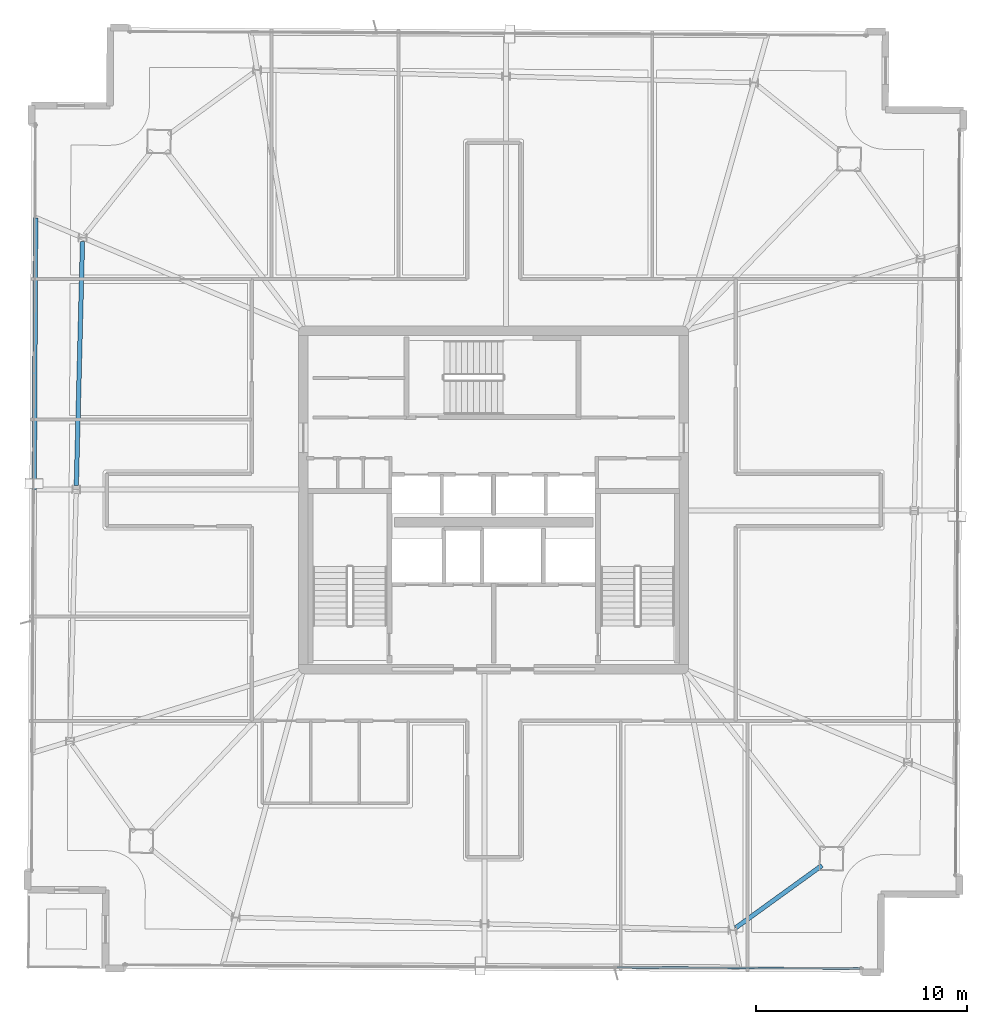
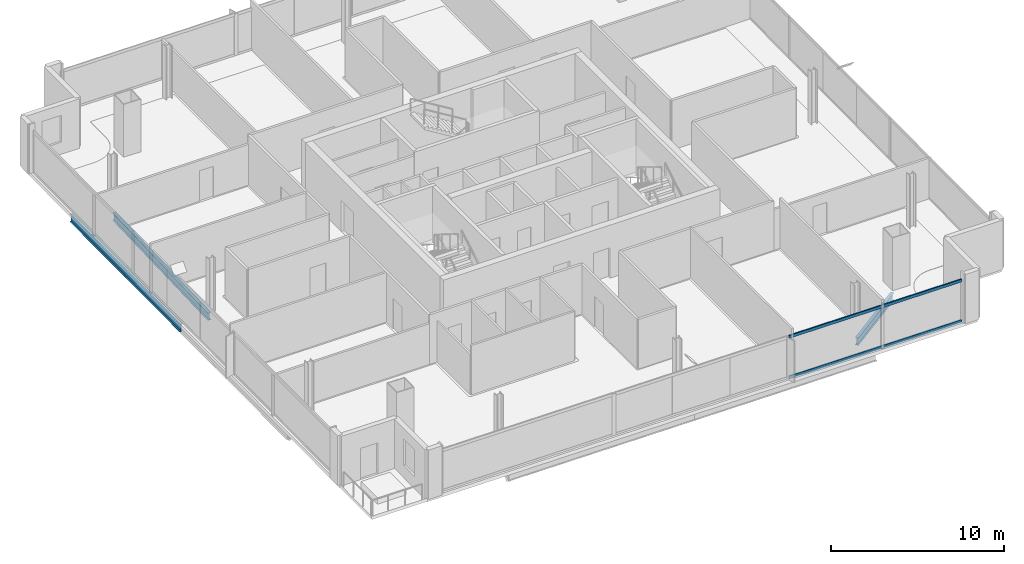
# One storey, part 7 of 24: 3 beams, 2 members, 1 element without a shape of its own.
"""IFC4 building model written with IfcOpenShell, lengths in metres."""

from ifc_helpers import new_model, si_unit, direction, frame, origin, origin_2d, place, context, subcontext, project, spatial, hollow_rectangle, i_section, extrude, material, material_profile, profile_set, type_object, element, aggregate, save


model = new_model("IFC4")

# Units and contexts
model_context = context("Model", 3, precision=1e-05, world=origin(), true_north=direction((0.0, 1.0)))
body_context = subcontext(model_context, "Body", "Model", "MODEL_VIEW")
ifc_project = project(units=[si_unit("LENGTHUNIT", "METRE"), si_unit("AREAUNIT", "SQUARE_METRE"), si_unit("VOLUMEUNIT", "CUBIC_METRE"), si_unit("PLANEANGLEUNIT", "RADIAN"), si_unit("MASSUNIT", "GRAM", prefix="KILO")], contexts=[model_context])

# Site, building, storey
site_placement = place(None, origin())
site = spatial("IfcSite", under=ifc_project, at=site_placement, CompositionType="ELEMENT")
building_placement = place(site_placement, origin())
building = spatial("IfcBuilding", under=site, at=building_placement, Name="Haldenkirk Collegiate Tower", CompositionType="ELEMENT")
storey_placement = place(building_placement, frame((0.0, 0.0, 328.949951171875)))
storey = spatial("IfcBuildingStorey", under=building, at=storey_placement, Name="L83", CompositionType="ELEMENT", Elevation=328.949951171875)

# Beams
ifc_material_1 = material(Name="Steel ASTM A992 Grade 50", Category="steel")
ifc_material_profile_1 = material_profile(ifc_material_1, i_section(OverallWidth=0.2099609375, OverallDepth=0.537109375, WebThickness=0.010986328125, FlangeThickness=0.017333984375, at=origin_2d()), Name="W21X68")
ifc_profile_set_1 = profile_set([ifc_material_profile_1], Name="Steel ASTM A992 Grade 50")
beam_type = type_object("IfcBeamType", Name="BM-SPANDREL-W21X68", PredefinedType="SPANDREL", material=ifc_profile_set_1)
beam_1_placement = place(storey_placement, frame((16.552978515625, 38.22412109375, -0.528564453125), z_axis=(-0.025302458902, -0.999679841536, 0.0), x_axis=(0.999679841536, -0.025302458902, 0.0)))
element("IfcBeam", 1, at=beam_1_placement, inside=storey, type_object=beam_type, Name="L83 perimeter spandrel beam 10", PredefinedType="SPANDREL", context=body_context, shape_type="SweptSolid", body=[
    extrude(i_section(OverallWidth=0.2099609375, OverallDepth=0.537109375, WebThickness=0.010986328125, FlangeThickness=0.017333984375, at=origin_2d()), origin(), (0.0, 0.0, 1.0), 11.5400390625),
])
beam_2_placement = place(storey_placement, frame((47.44921875, 5.767578125, -0.528564453125), z_axis=(0.810388642646, 0.585892693136, 0.0), x_axis=(-0.585892693136, 0.810388642646, 0.0)))
element("IfcBeam", 2, at=beam_2_placement, inside=storey, type_object=beam_type, Name="L83 perimeter spandrel beam 16", PredefinedType="SPANDREL", context=body_context, shape_type="SweptSolid", body=[
    extrude(i_section(OverallWidth=0.2099609375, OverallDepth=0.537109375, WebThickness=0.010986328125, FlangeThickness=0.017333984375, at=origin_2d()), origin(), (0.0, 0.0, 1.0), 5.03076171875),
])
beam_3_placement = place(storey_placement, frame((14.339599609375, 39.34912109375, -0.528564453125), z_axis=(-0.00524398558, -0.999986250213, 0.0), x_axis=(0.999986250213, -0.00524398558, 0.0)))
element("IfcBeam", 3, at=beam_3_placement, inside=storey, type_object=beam_type, Name="L83 outer facade edge beam 3A", PredefinedType="SPANDREL", context=body_context, shape_type="SweptSolid", body=[
    extrude(i_section(OverallWidth=0.2099609375, OverallDepth=0.537109375, WebThickness=0.010986328125, FlangeThickness=0.017333984375, at=origin_2d()), origin(), (0.0, 0.0, 1.0), 12.849609375),
])

# Curtain wall, members
ifc_material_2 = material(Name="Anodised architectural bronze aluminium", Category="aluminium")
curtain_wall_type = type_object("IfcCurtainWallType", Name="CW-SYS1B-CONVEX-HI", PredefinedType="USERDEFINED", material=ifc_material_2)
curtain_wall_placement = place(storey_placement, origin())
curtain_wall = element("IfcCurtainWall", 4, at=curtain_wall_placement, inside=storey, type_object=curtain_wall_type, Name="L83 Upper tower high-wind convex bronze unitised curtain wall", ObjectType="UNITISED CURTAIN WALL", PredefinedType="USERDEFINED")
ifc_material_profile_2 = material_profile(ifc_material_2, hollow_rectangle(XDim=0.0849609375, YDim=0.199951171875, WallThickness=0.0048828125, at=origin_2d()), Name="CW-TRN-1B")
ifc_profile_set_2 = profile_set([ifc_material_profile_2], Name="Anodised architectural bronze aluminium")
member_type = type_object("IfcMemberType", Name="CW-TRN-1B", PredefinedType="USERDEFINED", material=ifc_profile_set_2)
member_1_placement = place(storey_placement, frame((53.32421875, 3.8388671875, 0.04248046875), z_axis=(-0.999986246166, 0.005244757353, 0.0), x_axis=(-0.005244757353, -0.999986246166, 0.0)))
member_1 = element("IfcMember", 5, at=member_1_placement, type_object=member_type, Name="CW-1B transom 1.1", ObjectType="TRANSOM", PredefinedType="USERDEFINED", context=body_context, shape_type="SweptSolid", body=[
    extrude(hollow_rectangle(XDim=0.0849609375, YDim=0.199951171875, WallThickness=0.0048828125, at=origin_2d()), origin(), (0.0, 0.0, 1.0), 11.497802734375),
])
member_2_placement = place(storey_placement, frame((53.32421875, 3.8388671875, 2.905517578125), z_axis=(-0.999986246166, 0.005244757353, 0.0), x_axis=(-0.005244757353, -0.999986246166, 0.0)))
member_2 = element("IfcMember", 6, at=member_2_placement, type_object=member_type, Name="CW-1B transom 1.2", ObjectType="TRANSOM", PredefinedType="USERDEFINED", context=body_context, shape_type="SweptSolid", body=[
    extrude(hollow_rectangle(XDim=0.0849609375, YDim=0.199951171875, WallThickness=0.0048828125, at=origin_2d()), origin(), (0.0, 0.0, 1.0), 11.497802734375),
])
aggregate(curtain_wall, [member_1, member_2])

save(model, "model.ifc")
